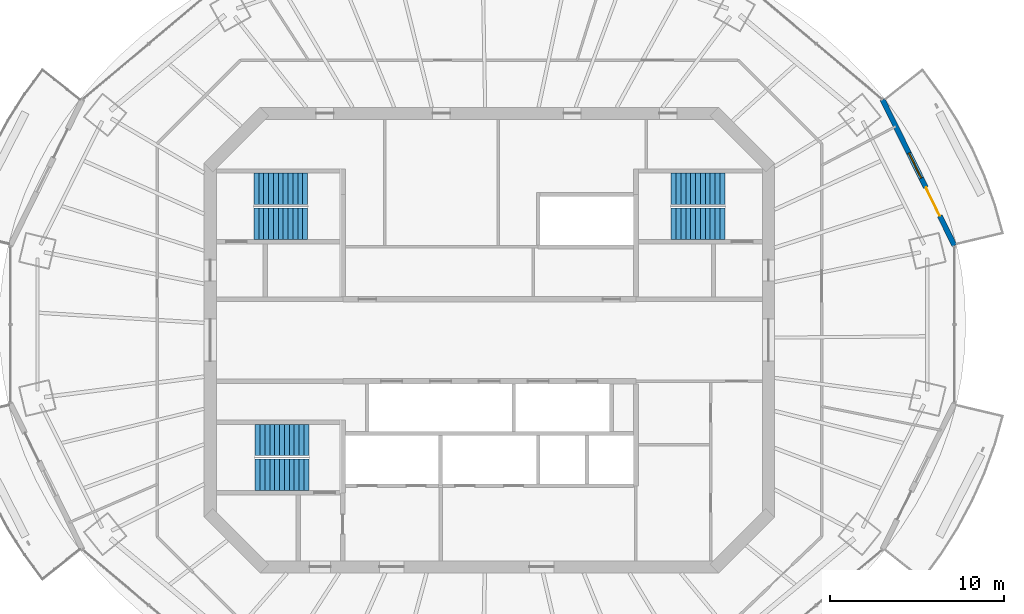
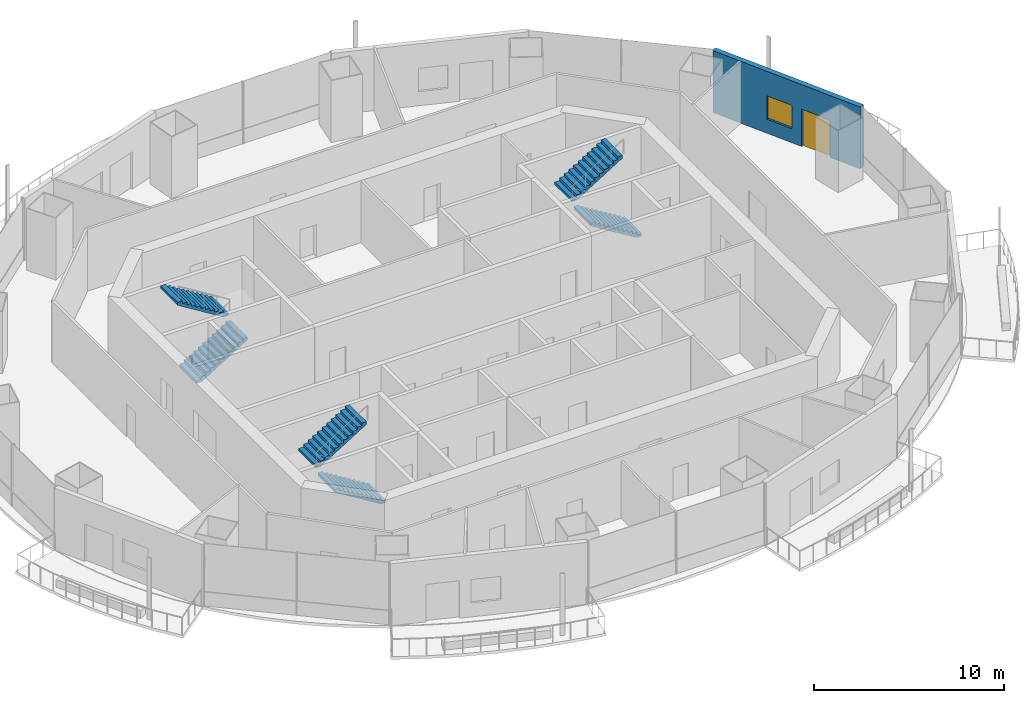
# One storey, part 11 of 16: 6 stair flights, 1 door, 1 wall, 1 window, 2 openings, 3 elements without a shape of their own.
"""IFC4 building model written with IfcOpenShell, lengths in metres."""

from ifc_helpers import new_model, si_unit, direction, frame, frame_2d, origin, place, context, subcontext, project, spatial, polyline, rectangle, outline, extrude, material, layer, layer_set, type_object, element, fill, aggregate, save


model = new_model("IFC4")

# Units and contexts
model_context = context("Model", 3, precision=1e-05, world=origin(), true_north=direction((0.0, 1.0)))
body_context = subcontext(model_context, "Body", "Model", "MODEL_VIEW")
ifc_project = project(units=[si_unit("LENGTHUNIT", "METRE"), si_unit("AREAUNIT", "SQUARE_METRE"), si_unit("VOLUMEUNIT", "CUBIC_METRE"), si_unit("PLANEANGLEUNIT", "RADIAN"), si_unit("MASSUNIT", "GRAM", prefix="KILO")], contexts=[model_context])

# Site, building, storey
site_placement = place(None, origin())
site = spatial("IfcSite", under=ifc_project, at=site_placement, CompositionType="ELEMENT")
building_placement = place(site_placement, origin())
building = spatial("IfcBuilding", under=site, at=building_placement, Name="Marenthal Gate Tower", CompositionType="ELEMENT")
storey_placement = place(building_placement, frame((0.0, 0.0, 326.0)))
storey = spatial("IfcBuildingStorey", under=building, at=storey_placement, Name="L73", CompositionType="ELEMENT", Elevation=326.0)

# Wall, openings, door, window
ifc_material_1 = material(Name="Terracotta cladding on insulated concrete-block backing", Category="masonry")
ifc_layer = layer(ifc_material_1, 0.300048828125)
ifc_layer_set = layer_set([ifc_layer], Name="Terracotta facade wall 300")
wall_type = type_object("IfcWallType", Name="Terracotta facade wall 300", PredefinedType="SOLIDWALL", material=ifc_layer_set)
wall_placement = place(storey_placement, frame((26.661865234375, 5.427490234375, 0.0), z_axis=(0.0, 0.0, 1.0), x_axis=(-0.441801707928, 0.897112730303, 0.0)))
wall = element("IfcWall", 1, at=wall_placement, inside=storey, type_object=wall_type, Name="Terracotta facade wall L73 bay 1", PredefinedType="SOLIDWALL", context=body_context, shape_type="SweptSolid", body=[
    extrude(rectangle(XDim=9.3251953125, YDim=0.300048828125, at=frame_2d((4.66259765625, 0.0))), origin(), (0.0, 0.0, 1.0), 3.969970703125),
])
opening_1_placement = place(wall_placement, frame((1.89990234375, 0.0, 0.0)))
opening_1 = element("IfcOpeningElement", 2, at=opening_1_placement, cuts=wall, Name="Opening BD-L73-01", PredefinedType="OPENING", context=body_context, shape_type="SweptSolid", body=[
    extrude(rectangle(XDim=1.800048828125, YDim=2.39990234375, at=frame_2d((0.89990234375, 1.199951171875))), frame((0.0, 0.16015625, 0.0), z_axis=(0.0, -1.0, 0.0), x_axis=(1.0, 0.0, 0.0)), (0.0, 0.0, 1.0), 0.320068359375),
])
opening_2_placement = place(wall_placement, frame((4.300048828125, 0.0, 0.89990234375)))
opening_2 = element("IfcOpeningElement", 3, at=opening_2_placement, cuts=wall, Name="Opening WN3-L73-01", PredefinedType="OPENING", context=body_context, shape_type="SweptSolid", body=[
    extrude(rectangle(XDim=1.60009765625, YDim=1.5, at=frame_2d((0.800048828125, 0.75))), frame((0.0, 0.16015625, 0.0), z_axis=(0.0, -1.0, 0.0), x_axis=(1.0, 0.0, 0.0)), (0.0, 0.0, 1.0), 0.320068359375),
])
ifc_material_2 = material(Name="Aluminium and glass", Category="aluminium")
door_type = type_object("IfcDoorType", Name="Balcony door 1800x2400", OperationType="DOUBLE_DOOR_SINGLE_SWING", PredefinedType="DOOR", material=ifc_material_2)
door_placement = place(opening_1_placement, origin())
door = element("IfcDoor", 4, at=door_placement, inside=storey, type_object=door_type, Name="Balcony door L73 bay 1", OperationType="SINGLE_SWING_LEFT", OverallHeight=2.39990234375, OverallWidth=1.800048828125, PredefinedType="DOOR", context=body_context, shape_type="SweptSolid", body=[
    extrude(rectangle(XDim=1.800048828125, YDim=2.39990234375, at=frame_2d((0.89990234375, 1.199951171875))), frame((0.0, 0.02490234375, 0.0), z_axis=(0.0, -1.0, 0.0), x_axis=(1.0, 0.0, 0.0)), (0.0, 0.0, 1.0), 0.050048828125),
])
fill(opening_1, door)
ifc_material_3 = material(Name="Aluminium and glass", Category="aluminium")
window_type = type_object("IfcWindowType", Name="Window 1600x1500", PartitioningType="DOUBLE_PANEL_VERTICAL", PredefinedType="WINDOW", material=ifc_material_3)
window_placement = place(opening_2_placement, origin())
window = element("IfcWindow", 5, at=window_placement, inside=storey, type_object=window_type, Name="Window L73 bay 1", OverallHeight=1.5, OverallWidth=1.60009765625, PartitioningType="SINGLE_PANEL", PredefinedType="WINDOW", context=body_context, shape_type="SweptSolid", body=[
    extrude(rectangle(XDim=1.60009765625, YDim=1.5, at=frame_2d((0.800048828125, 0.75))), frame((0.0, 0.030029296875, 0.0), z_axis=(0.0, -1.0, 0.0), x_axis=(1.0, 0.0, 0.0)), (0.0, 0.0, 1.0), 0.06005859375),
])
fill(opening_2, window)

# Stair, stair flights
ifc_material_4 = material(Name="Concrete 40 MPa", Category="concrete")
stair_type = type_object("IfcStairType", Name="Exit stair 1800", PredefinedType="HALF_TURN_STAIR", material=ifc_material_4)
stair_1_placement = place(storey_placement, origin())
stair_1 = element("IfcStair", 6, at=stair_1_placement, inside=storey, type_object=stair_type, Name="Stair ST1", PredefinedType="HALF_TURN_STAIR")
ifc_material_5 = material(Name="Concrete 40 MPa", Category="concrete")
stair_flight_type = type_object("IfcStairFlightType", Name="Stair flight 1800", PredefinedType="STRAIGHT", material=ifc_material_5)
stair_flight_1_placement = place(storey_placement, frame((-13.5, 6.675048828125, 0.0), z_axis=(0.0, 0.0, 1.0), x_axis=(1.0, 0.0, 0.0)))
stair_flight_1 = element("IfcStairFlight", 7, at=stair_flight_1_placement, type_object=stair_flight_type, Name="ST1 flight 1", NumberOfRisers=12, NumberOfTreads=11, PredefinedType="STRAIGHT", RiserHeight=0.172916667, TreadLength=0.28, context=body_context, shape_type="SweptSolid", body=[
    extrude(outline(polyline([(0.0, 0.0), (0.0, 0.1728515625), (0.280029296875, 0.1728515625), (0.280029296875, 0.345947265625), (0.56005859375, 0.345947265625), (0.56005859375, 0.518798828125), (0.840087890625, 0.518798828125), (0.840087890625, 0.691650390625), (1.1201171875, 0.691650390625), (1.1201171875, 0.864501953125), (1.39990234375, 0.864501953125), (1.39990234375, 1.03759765625), (1.679931640625, 1.03759765625), (1.679931640625, 1.21044921875), (1.9599609375, 1.21044921875), (1.9599609375, 1.38330078125), (2.239990234375, 1.38330078125), (2.239990234375, 1.55615234375), (2.52001953125, 1.55615234375), (2.52001953125, 1.729248046875), (2.800048828125, 1.729248046875), (2.800048828125, 1.902099609375), (3.080078125, 1.902099609375), (3.080078125, 2.074951171875), (3.080078125, 1.725830078125), (0.285400390625, 0.0), (0.0, 0.0)])), frame((0.0, 0.89990234375, 0.0), z_axis=(0.0, -1.0, 0.0), x_axis=(1.0, 0.0, 0.0)), (0.0, 0.0, 1.0), 1.800048828125),
])
stair_flight_2_placement = place(storey_placement, frame((-10.419921875, 8.675048828125, 2.074951171875), z_axis=(0.0, 0.0, 1.0), x_axis=(-1.0, 0.0, 0.0)))
stair_flight_2 = element("IfcStairFlight", 8, at=stair_flight_2_placement, type_object=stair_flight_type, Name="ST1 flight 2", NumberOfRisers=12, NumberOfTreads=11, PredefinedType="STRAIGHT", RiserHeight=0.172916667, TreadLength=0.28, context=body_context, shape_type="SweptSolid", body=[
    extrude(outline(polyline([(0.0, 0.0), (0.0, 0.1728515625), (0.280029296875, 0.1728515625), (0.280029296875, 0.345947265625), (0.56005859375, 0.345947265625), (0.56005859375, 0.518798828125), (0.840087890625, 0.518798828125), (0.840087890625, 0.691650390625), (1.1201171875, 0.691650390625), (1.1201171875, 0.864501953125), (1.39990234375, 0.864501953125), (1.39990234375, 1.03759765625), (1.679931640625, 1.03759765625), (1.679931640625, 1.21044921875), (1.9599609375, 1.21044921875), (1.9599609375, 1.38330078125), (2.239990234375, 1.38330078125), (2.239990234375, 1.55615234375), (2.52001953125, 1.55615234375), (2.52001953125, 1.729248046875), (2.800048828125, 1.729248046875), (2.800048828125, 1.902099609375), (3.080078125, 1.902099609375), (3.080078125, 2.074951171875), (3.080078125, 1.725830078125), (0.285400390625, 0.0), (0.0, 0.0)])), frame((0.0, 0.89990234375, 0.0), z_axis=(0.0, -1.0, 0.0), x_axis=(1.0, 0.0, 0.0)), (0.0, 0.0, 1.0), 1.800048828125),
])
aggregate(stair_1, [stair_flight_1, stair_flight_2])

stair_2_placement = place(storey_placement, origin())
stair_2 = element("IfcStair", 9, at=stair_2_placement, inside=storey, type_object=stair_type, Name="Stair ST2", PredefinedType="HALF_TURN_STAIR")
stair_flight_3_placement = place(storey_placement, frame((-10.35009765625, -7.72509765625, 0.0), z_axis=(0.0, 0.0, 1.0), x_axis=(-1.0, 0.0, 0.0)))
stair_flight_3 = element("IfcStairFlight", 10, at=stair_flight_3_placement, type_object=stair_flight_type, Name="ST2 flight 1", NumberOfRisers=12, NumberOfTreads=11, PredefinedType="STRAIGHT", RiserHeight=0.172916667, TreadLength=0.28, context=body_context, shape_type="SweptSolid", body=[
    extrude(outline(polyline([(0.0, 0.0), (0.0, 0.1728515625), (0.280029296875, 0.1728515625), (0.280029296875, 0.345947265625), (0.56005859375, 0.345947265625), (0.56005859375, 0.518798828125), (0.840087890625, 0.518798828125), (0.840087890625, 0.691650390625), (1.1201171875, 0.691650390625), (1.1201171875, 0.864501953125), (1.39990234375, 0.864501953125), (1.39990234375, 1.03759765625), (1.679931640625, 1.03759765625), (1.679931640625, 1.21044921875), (1.9599609375, 1.21044921875), (1.9599609375, 1.38330078125), (2.239990234375, 1.38330078125), (2.239990234375, 1.55615234375), (2.52001953125, 1.55615234375), (2.52001953125, 1.729248046875), (2.800048828125, 1.729248046875), (2.800048828125, 1.902099609375), (3.080078125, 1.902099609375), (3.080078125, 2.074951171875), (3.080078125, 1.725830078125), (0.285400390625, 0.0), (0.0, 0.0)])), frame((0.0, 0.89990234375, 0.0), z_axis=(0.0, -1.0, 0.0), x_axis=(1.0, 0.0, 0.0)), (0.0, 0.0, 1.0), 1.800048828125),
])
stair_flight_4_placement = place(storey_placement, frame((-13.429931640625, -5.72509765625, 2.074951171875), z_axis=(0.0, 0.0, 1.0), x_axis=(1.0, 0.0, 0.0)))
stair_flight_4 = element("IfcStairFlight", 11, at=stair_flight_4_placement, type_object=stair_flight_type, Name="ST2 flight 2", NumberOfRisers=12, NumberOfTreads=11, PredefinedType="STRAIGHT", RiserHeight=0.172916667, TreadLength=0.28, context=body_context, shape_type="SweptSolid", body=[
    extrude(outline(polyline([(0.0, 0.0), (0.0, 0.1728515625), (0.280029296875, 0.1728515625), (0.280029296875, 0.345947265625), (0.56005859375, 0.345947265625), (0.56005859375, 0.518798828125), (0.840087890625, 0.518798828125), (0.840087890625, 0.691650390625), (1.1201171875, 0.691650390625), (1.1201171875, 0.864501953125), (1.39990234375, 0.864501953125), (1.39990234375, 1.03759765625), (1.679931640625, 1.03759765625), (1.679931640625, 1.21044921875), (1.9599609375, 1.21044921875), (1.9599609375, 1.38330078125), (2.239990234375, 1.38330078125), (2.239990234375, 1.55615234375), (2.52001953125, 1.55615234375), (2.52001953125, 1.729248046875), (2.800048828125, 1.729248046875), (2.800048828125, 1.902099609375), (3.080078125, 1.902099609375), (3.080078125, 2.074951171875), (3.080078125, 1.725830078125), (0.285400390625, 0.0), (0.0, 0.0)])), frame((0.0, 0.89990234375, 0.0), z_axis=(0.0, -1.0, 0.0), x_axis=(1.0, 0.0, 0.0)), (0.0, 0.0, 1.0), 1.800048828125),
])
aggregate(stair_2, [stair_flight_3, stair_flight_4])

stair_3_placement = place(storey_placement, origin())
stair_3 = element("IfcStair", 12, at=stair_3_placement, inside=storey, type_object=stair_type, Name="Stair ST3", PredefinedType="HALF_TURN_STAIR")
stair_flight_5_placement = place(storey_placement, frame((13.5, 6.675048828125, 0.0), z_axis=(0.0, 0.0, 1.0), x_axis=(-1.0, 0.0, 0.0)))
stair_flight_5 = element("IfcStairFlight", 13, at=stair_flight_5_placement, type_object=stair_flight_type, Name="ST3 flight 1", NumberOfRisers=12, NumberOfTreads=11, PredefinedType="STRAIGHT", RiserHeight=0.172916667, TreadLength=0.28, context=body_context, shape_type="SweptSolid", body=[
    extrude(outline(polyline([(0.0, 0.0), (0.0, 0.1728515625), (0.280029296875, 0.1728515625), (0.280029296875, 0.345947265625), (0.56005859375, 0.345947265625), (0.56005859375, 0.518798828125), (0.840087890625, 0.518798828125), (0.840087890625, 0.691650390625), (1.1201171875, 0.691650390625), (1.1201171875, 0.864501953125), (1.39990234375, 0.864501953125), (1.39990234375, 1.03759765625), (1.679931640625, 1.03759765625), (1.679931640625, 1.21044921875), (1.9599609375, 1.21044921875), (1.9599609375, 1.38330078125), (2.239990234375, 1.38330078125), (2.239990234375, 1.55615234375), (2.52001953125, 1.55615234375), (2.52001953125, 1.729248046875), (2.800048828125, 1.729248046875), (2.800048828125, 1.902099609375), (3.080078125, 1.902099609375), (3.080078125, 2.074951171875), (3.080078125, 1.725830078125), (0.285400390625, 0.0), (0.0, 0.0)])), frame((0.0, 0.89990234375, 0.0), z_axis=(0.0, -1.0, 0.0), x_axis=(1.0, 0.0, 0.0)), (0.0, 0.0, 1.0), 1.800048828125),
])
stair_flight_6_placement = place(storey_placement, frame((10.419921875, 8.675048828125, 2.074951171875), z_axis=(0.0, 0.0, 1.0), x_axis=(1.0, 0.0, 0.0)))
stair_flight_6 = element("IfcStairFlight", 14, at=stair_flight_6_placement, type_object=stair_flight_type, Name="ST3 flight 2", NumberOfRisers=12, NumberOfTreads=11, PredefinedType="STRAIGHT", RiserHeight=0.172916667, TreadLength=0.28, context=body_context, shape_type="SweptSolid", body=[
    extrude(outline(polyline([(0.0, 0.0), (0.0, 0.1728515625), (0.280029296875, 0.1728515625), (0.280029296875, 0.345947265625), (0.56005859375, 0.345947265625), (0.56005859375, 0.518798828125), (0.840087890625, 0.518798828125), (0.840087890625, 0.691650390625), (1.1201171875, 0.691650390625), (1.1201171875, 0.864501953125), (1.39990234375, 0.864501953125), (1.39990234375, 1.03759765625), (1.679931640625, 1.03759765625), (1.679931640625, 1.21044921875), (1.9599609375, 1.21044921875), (1.9599609375, 1.38330078125), (2.239990234375, 1.38330078125), (2.239990234375, 1.55615234375), (2.52001953125, 1.55615234375), (2.52001953125, 1.729248046875), (2.800048828125, 1.729248046875), (2.800048828125, 1.902099609375), (3.080078125, 1.902099609375), (3.080078125, 2.074951171875), (3.080078125, 1.725830078125), (0.285400390625, 0.0), (0.0, 0.0)])), frame((0.0, 0.89990234375, 0.0), z_axis=(0.0, -1.0, 0.0), x_axis=(1.0, 0.0, 0.0)), (0.0, 0.0, 1.0), 1.800048828125),
])
aggregate(stair_3, [stair_flight_5, stair_flight_6])

save(model, "model.ifc")
